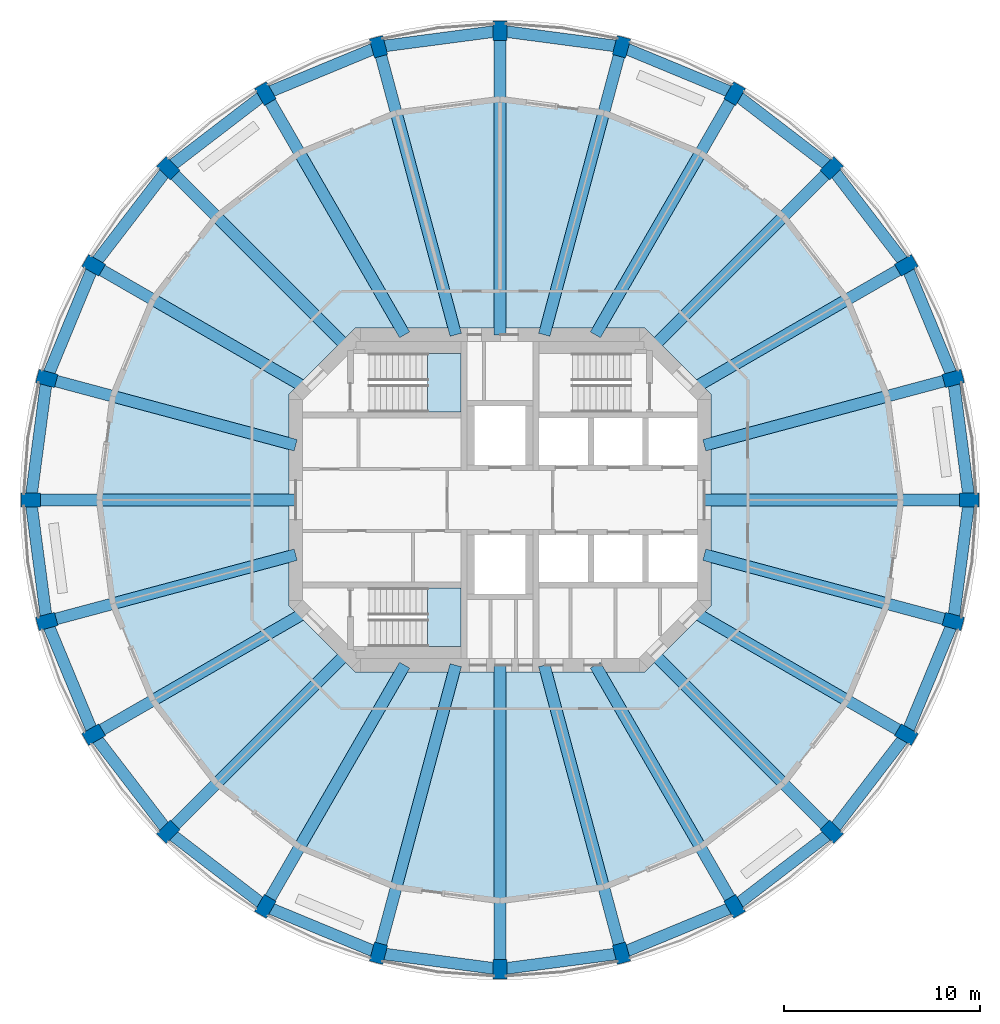
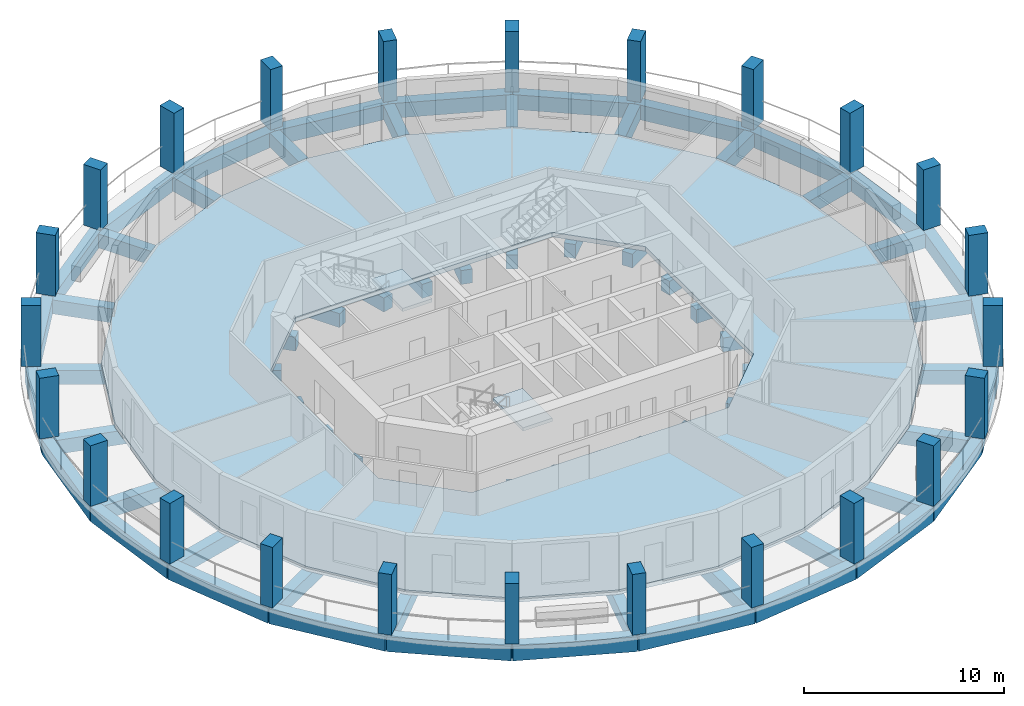
# One storey, part 1 of 9: 48 beams, 24 columns, 3 slabs, 2 elements without a shape of their own.
"""IFC4 building model written with IfcOpenShell, lengths in metres."""

import ifcopenshell
import ifcopenshell.guid

model = None  # the IFC model being written
_history = None  # IfcOwnerHistory: only IFC2X3 demands one
_inside = {}  # id of a spatial element -> (the spatial element, [elements in it])
_under = {}  # id of a project, library or spatial element -> (it, [spatial elements below it])
_declared = {}  # id of a project -> (the project, [libraries it declares])
_typed = {}  # id of a type object -> (the type object, [elements of that type])
_made_of = {}  # id of a material, layer set ... -> (it, [elements and type objects made of it])


def new_model(schema):
    """Start an empty IFC model of exactly this schema.

    Asked for "IFC4X3", IfcOpenShell would pick the latest addendum, in which some entities
    have other attributes; the version numbers below select the first issue.
    IFC2X3 requires an IfcOwnerHistory on every rooted entity: one is made here for all.
    """
    global model, _history
    if schema == "IFC4X3":
        model = ifcopenshell.file(schema_version=(4, 3, 0, 0))
    else:
        model = ifcopenshell.file(schema=schema)
    _inside.clear()
    _under.clear()
    _declared.clear()
    _typed.clear()
    _made_of.clear()
    _history = None
    if model.schema == "IFC2X3":
        org = make("IfcOrganization", Name="unknown")
        user = make(
            "IfcPersonAndOrganization",
            ThePerson=make("IfcPerson", FamilyName="unknown"),
            TheOrganization=org,
        )
        app = make(
            "IfcApplication",
            ApplicationDeveloper=org,
            Version="unknown",
            ApplicationFullName="unknown",
            ApplicationIdentifier="unknown",
        )
        _history = make(
            "IfcOwnerHistory",
            OwningUser=user,
            OwningApplication=app,
            ChangeAction="ADDED",
            CreationDate=0,
        )
    return model


def make(cls, **values):
    """One entity of the class cls with the attributes given. An attribute that is None is left unset."""
    return model.create_entity(
        cls, **{name: value for name, value in values.items() if value is not None}
    )


def rooted(cls, **values):
    """An entity with a GlobalId (a new one), such as an element, a storey or a relation."""
    return make(cls, GlobalId=ifcopenshell.guid.new(), OwnerHistory=_history, **values)


def si_unit(unit_type, name, prefix=None):
    """IfcSIUnit, for example si_unit("LENGTHUNIT", "METRE", prefix="MILLI")."""
    return make("IfcSIUnit", UnitType=unit_type, Prefix=prefix, Name=name)


def assignment(units):
    """IfcUnitAssignment: the units of a project."""
    return None if units is None else make("IfcUnitAssignment", Units=units)


def point(xyz):
    """IfcCartesianPoint."""
    return None if xyz is None else make("IfcCartesianPoint", Coordinates=xyz)


def direction(xyz):
    """IfcDirection."""
    return None if xyz is None else make("IfcDirection", DirectionRatios=xyz)


def frame(location, z_axis=None, x_axis=None):
    """IfcAxis2Placement3D, a coordinate frame: its origin and axes. An axis left out is left unset."""
    return make(
        "IfcAxis2Placement3D",
        Location=point(location),
        Axis=direction(z_axis),
        RefDirection=direction(x_axis),
    )


def frame_2d(location, x_axis=None):
    """IfcAxis2Placement2D, a coordinate frame in the plane: its origin and x axis."""
    return make(
        "IfcAxis2Placement2D", Location=point(location), RefDirection=direction(x_axis)
    )


def origin():
    """The frame at (0, 0, 0) with its axes left unset."""
    return frame((0.0, 0.0, 0.0))


def origin_2d():
    """The frame at (0, 0) in the plane with its x axis left unset."""
    return frame_2d((0.0, 0.0))


def place(relative_to, where):
    """IfcLocalPlacement: puts the frame where relative to a parent placement (None: the world)."""
    return make(
        "IfcLocalPlacement", PlacementRelTo=relative_to, RelativePlacement=where
    )


def context(
    kind, dimensions, precision=None, world=None, true_north=None, identifier=None
):
    """IfcGeometricRepresentationContext, for example the 3D "Model" context."""
    return make(
        "IfcGeometricRepresentationContext",
        ContextIdentifier=identifier,
        ContextType=kind,
        CoordinateSpaceDimension=dimensions,
        Precision=precision,
        WorldCoordinateSystem=world,
        TrueNorth=true_north,
    )


def subcontext(parent, identifier, kind, view, scale=None):
    """IfcGeometricRepresentationSubContext, for example "Body" below "Model"."""
    return make(
        "IfcGeometricRepresentationSubContext",
        ContextIdentifier=identifier,
        ContextType=kind,
        ParentContext=parent,
        TargetScale=scale,
        TargetView=view,
    )


def project(units=None, contexts=None):
    """IfcProject with its units and contexts."""
    return rooted(
        "IfcProject",
        Name="project",
        RepresentationContexts=contexts,
        UnitsInContext=assignment(units),
    )


def spatial(cls, under=None, at=None, **own):
    """A site, building, storey or space (cls), placed at a placement, below another one or the project."""
    s = rooted(cls, ObjectPlacement=at, **own)
    if under is not None:
        _under.setdefault(under.id(), (under, []))[1].append(s)
    return s


def polyline(points):
    """IfcPolyline through the points."""
    return make("IfcPolyline", Points=[point(p) for p in points])


def profile(cls, at=None, kind="AREA", **sizes):
    """A parametric profile (cls). Its sizes go by their IFC names, for example OverallWidth=200.0."""
    return make(cls, ProfileType=kind, Position=at, **sizes)


def rectangle(**sizes):
    """IfcRectangleProfileDef."""
    return profile("IfcRectangleProfileDef", **sizes)


def outline(outer, holes=None, kind="AREA"):
    """IfcArbitraryClosedProfileDef: a profile drawn as a closed curve; with holes, ...WithVoids."""
    if holes is None:
        return make("IfcArbitraryClosedProfileDef", ProfileType=kind, OuterCurve=outer)
    return make(
        "IfcArbitraryProfileDefWithVoids",
        ProfileType=kind,
        OuterCurve=outer,
        InnerCurves=holes,
    )


def extrude(swept, where, along, depth):
    """IfcExtrudedAreaSolid: the profile swept, set in the frame where, extruded along a direction by depth."""
    return make(
        "IfcExtrudedAreaSolid",
        SweptArea=swept,
        Position=where,
        ExtrudedDirection=direction(along),
        Depth=depth,
    )


def shape(context_of_items, identifier, shape_type, items):
    """IfcShapeRepresentation: the items that make up one representation, for example the "Body"."""
    return make(
        "IfcShapeRepresentation",
        ContextOfItems=context_of_items,
        RepresentationIdentifier=identifier,
        RepresentationType=shape_type,
        Items=items,
    )


def material(Name=None, Category=None):
    """IfcMaterial."""
    return make("IfcMaterial", Name=Name, Category=Category)


def layer(
    of_material, thickness, ventilated=None, Name=None, Category=None, Priority=None
):
    """IfcMaterialLayer: one layer of a wall or slab, of a material (None: an air gap)."""
    return make(
        "IfcMaterialLayer",
        Material=of_material,
        LayerThickness=thickness,
        IsVentilated=ventilated,
        Name=Name,
        Category=Category,
        Priority=Priority,
    )


def layer_set(layers, Name=None):
    """IfcMaterialLayerSet."""
    return make("IfcMaterialLayerSet", MaterialLayers=layers, LayerSetName=Name)


def material_profile(
    of_material, cross_section, Name=None, Category=None, Priority=None
):
    """IfcMaterialProfile: a cross section and its material."""
    return make(
        "IfcMaterialProfile",
        Name=Name,
        Material=of_material,
        Profile=cross_section,
        Priority=Priority,
        Category=Category,
    )


def profile_set(profiles, Name=None, composite=None):
    """IfcMaterialProfileSet."""
    return make(
        "IfcMaterialProfileSet",
        Name=Name,
        MaterialProfiles=profiles,
        CompositeProfile=composite,
    )


def made_of(thing, what):
    """Note that an element or type object is made of a material, layer set ...; save() writes the relation."""
    if what is not None:
        _made_of.setdefault(what.id(), (what, []))[1].append(thing)
    return thing


def type_object(cls, material=None, **own):
    """A type object (cls), such as IfcWallType, which elements share."""
    return made_of(rooted(cls, **own), material)


def element(
    cls,
    number,
    at=None,
    inside=None,
    cuts=None,
    type_object=None,
    material=None,
    context=None,
    identifier="Body",
    shape_type=None,
    held_by="IfcProductDefinitionShape",
    body=None,
    shapes=None,
    **own,
):
    """One element of the class cls, such as IfcWall. Its Tag is "e" and its number.

    at: its placement. inside: the storey or other place that contains it. cuts: it is an
    opening in that element (IfcRelVoidsElement). A single representation is given by context,
    identifier, shape_type and body (its items); several are given by shapes. held_by: the class
    of the entity that holds the representations. save() writes the other relations.
    """
    e = rooted(cls, Tag="e%d" % number, ObjectPlacement=at, **own)
    if body is not None:
        shapes = [shape(context, identifier, shape_type, body)]
    if shapes is not None:
        e.Representation = make(held_by, Representations=shapes)
    if inside is not None:
        _inside.setdefault(inside.id(), (inside, []))[1].append(e)
    if cuts is not None:
        rooted(
            "IfcRelVoidsElement", RelatingBuildingElement=cuts, RelatedOpeningElement=e
        )
    if type_object is not None:
        _typed.setdefault(type_object.id(), (type_object, []))[1].append(e)
    return made_of(e, material)


def aggregate(whole, parts):
    """IfcRelAggregates: a whole, such as a stair, and the parts it consists of."""
    return rooted("IfcRelAggregates", RelatingObject=whole, RelatedObjects=parts)


def save(model, path):
    """Write the relations noted so far, then the file.

    IfcRelAggregates (storeys below a building ...), IfcRelContainedInSpatialStructure (elements
    in a storey), IfcRelDefinesByType, IfcRelAssociatesMaterial and IfcRelDeclares: one each for
    every whole, place, type object, material and project.
    """
    for whole, parts in _under.values():
        aggregate(whole, parts)
    for where, things in _inside.values():
        rooted(
            "IfcRelContainedInSpatialStructure",
            RelatedElements=things,
            RelatingStructure=where,
        )
    for kind, things in _typed.values():
        rooted("IfcRelDefinesByType", RelatedObjects=things, RelatingType=kind)
    for what, things in _made_of.values():
        rooted("IfcRelAssociatesMaterial", RelatedObjects=things, RelatingMaterial=what)
    for by, libraries in _declared.values():
        rooted("IfcRelDeclares", RelatingContext=by, RelatedDefinitions=libraries)
    model.write(path)


model = new_model("IFC4")

# Units and contexts
model_context = context("Model", 3, precision=1e-05, world=origin(), true_north=direction((0.0, 1.0)))
body_context = subcontext(model_context, "Body", "Model", "MODEL_VIEW")
ifc_project = project(units=[si_unit("LENGTHUNIT", "METRE"), si_unit("AREAUNIT", "SQUARE_METRE"), si_unit("VOLUMEUNIT", "CUBIC_METRE"), si_unit("PLANEANGLEUNIT", "RADIAN"), si_unit("MASSUNIT", "GRAM", prefix="KILO")], contexts=[model_context])

# Site, building, storey
site_placement = place(None, origin())
site = spatial("IfcSite", under=ifc_project, at=site_placement, CompositionType="ELEMENT")
building_placement = place(site_placement, origin())
building = spatial("IfcBuilding", under=site, at=building_placement, Name="Torre Triforio", CompositionType="ELEMENT")
storey_placement = place(building_placement, frame((0.0, 0.0, 233.5)))
storey = spatial("IfcBuildingStorey", under=building, at=storey_placement, Name="L53", CompositionType="ELEMENT", Elevation=233.5)

# Columns
ifc_material_1 = material(Name="Concrete C50", Category="concrete")
ifc_material_profile_1 = material_profile(ifc_material_1, rectangle(XDim=0.699951171875, YDim=1.0, at=origin_2d()), Name="RC 700x1000")
ifc_profile_set_1 = profile_set([ifc_material_profile_1], Name="Concrete C50")
column_type = type_object("IfcColumnType", Name="Pier RC 700x1000 C50", PredefinedType="COLUMN", material=ifc_profile_set_1)
for number, where, z_axis, x_axis, name in (
    (1, (24.0, 0.0, 0.0), (0.0, 0.0, 1.0), (0.0, 1.0, 0.0), "COL.R.L53.00"),
    (2, (23.18212890625, 6.211669921875, 0.0), (0.0, 0.0, 1.0), (-0.258819045103, 0.965925826289, 0.0), "COL.R.L53.01"),
    (3, (20.78466796875, 12.0, 0.0), (0.0, 0.0, 1.0), (-0.5, 0.866025403784, 0.0), "COL.R.L53.02"),
    (4, (16.970458984375, 16.970458984375, 0.0), (0.0, 0.0, 1.0), (-0.707106781187, 0.707106781187, 0.0), "COL.R.L53.03"),
    (5, (12.0, 20.78466796875, 0.0), (0.0, 0.0, 1.0), (-0.866025403784, 0.5, 0.0), "COL.R.L53.04"),
    (6, (6.211669921875, 23.18212890625, 0.0), (0.0, 0.0, 1.0), (-0.965925826289, 0.258819045103, 0.0), "COL.R.L53.05"),
    (7, (0.0, 24.0, 0.0), (0.0, 0.0, 1.0), (-1.0, 0.0, 0.0), "COL.R.L53.06"),
    (8, (-6.211669921875, 23.18212890625, 0.0), (0.0, 0.0, 1.0), (-0.965925826289, -0.258819045103, 0.0), "COL.R.L53.07"),
    (9, (-12.0, 20.78466796875, 0.0), (0.0, 0.0, 1.0), (-0.866025403784, -0.5, 0.0), "COL.R.L53.08"),
    (10, (-16.970458984375, 16.970458984375, 0.0), (0.0, 0.0, 1.0), (-0.707106781187, -0.707106781187, 0.0), "COL.R.L53.09"),
    (11, (-20.78466796875, 12.0, 0.0), (0.0, 0.0, 1.0), (-0.5, -0.866025403784, 0.0), "COL.R.L53.10"),
    (12, (-23.18212890625, 6.211669921875, 0.0), (0.0, 0.0, 1.0), (-0.258819045103, -0.965925826289, 0.0), "COL.R.L53.11"),
    (13, (-24.0, 0.0, 0.0), (0.0, 0.0, 1.0), (0.0, -1.0, 0.0), "COL.R.L53.12"),
    (14, (-23.18212890625, -6.211669921875, 0.0), (0.0, 0.0, 1.0), (0.258819045103, -0.965925826289, 0.0), "COL.R.L53.13"),
    (15, (-20.78466796875, -12.0, 0.0), (0.0, 0.0, 1.0), (0.5, -0.866025403784, 0.0), "COL.R.L53.14"),
    (16, (-16.970458984375, -16.970458984375, 0.0), (0.0, 0.0, 1.0), (0.707106781187, -0.707106781187, 0.0), "COL.R.L53.15"),
    (17, (-12.0, -20.78466796875, 0.0), (0.0, 0.0, 1.0), (0.866025403784, -0.5, 0.0), "COL.R.L53.16"),
    (18, (-6.211669921875, -23.18212890625, 0.0), (0.0, 0.0, 1.0), (0.965925826289, -0.258819045103, 0.0), "COL.R.L53.17"),
    (19, (0.0, -24.0, 0.0), (0.0, 0.0, 1.0), (1.0, 0.0, 0.0), "COL.R.L53.18"),
    (20, (6.211669921875, -23.18212890625, 0.0), (0.0, 0.0, 1.0), (0.965925826289, 0.258819045103, 0.0), "COL.R.L53.19"),
    (21, (12.0, -20.78466796875, 0.0), (0.0, 0.0, 1.0), (0.866025403784, 0.5, 0.0), "COL.R.L53.20"),
    (22, (16.970458984375, -16.970458984375, 0.0), (0.0, 0.0, 1.0), (0.707106781187, 0.707106781187, 0.0), "COL.R.L53.21"),
    (23, (20.78466796875, -12.0, 0.0), (0.0, 0.0, 1.0), (0.5, 0.866025403784, 0.0), "COL.R.L53.22"),
    (24, (23.18212890625, -6.211669921875, 0.0), (0.0, 0.0, 1.0), (0.258819045103, 0.965925826289, 0.0), "COL.R.L53.23"),
):
    element("IfcColumn", number, at=place(storey_placement, frame(where, z_axis=z_axis, x_axis=x_axis)), inside=storey, type_object=column_type, Name=name, PredefinedType="COLUMN", context=body_context, shape_type="SweptSolid", body=[
        extrude(rectangle(XDim=0.699951171875, YDim=1.0, at=origin_2d()), origin(), (0.0, 0.0, 1.0), 3.699951171875),
    ])

# Beams
ifc_material_2 = material(Name="Concrete C40", Category="concrete")
ifc_material_profile_2 = material_profile(ifc_material_2, rectangle(XDim=0.60009765625, YDim=0.85009765625, at=origin_2d()), Name="RC 600x850")
ifc_profile_set_2 = profile_set([ifc_material_profile_2], Name="Concrete C40")
beam_type_1 = type_object("IfcBeamType", Name="Radial beam RC 600x850 C40", PredefinedType="BEAM", material=ifc_profile_set_2)
beam_1_placement = place(storey_placement, frame((10.449951171875, 0.0, -0.705078125), z_axis=(1.0, 0.0, 0.0), x_axis=(0.0, 1.0, 0.0)))
element("IfcBeam", 25, at=beam_1_placement, inside=storey, type_object=beam_type_1, Name="BM.R.L53.00", PredefinedType="BEAM", context=body_context, shape_type="SweptSolid", body=[
    extrude(rectangle(XDim=0.60009765625, YDim=0.85009765625, at=origin_2d()), origin(), (0.0, 0.0, 1.0), 13.550048828125),
])
beam_2_placement = place(storey_placement, frame((10.449951171875, 2.800048828125, -0.705078125), z_axis=(0.965924985096, 0.258822184459, 0.0), x_axis=(-0.258822184459, 0.965924985096, 0.0)))
element("IfcBeam", 26, at=beam_2_placement, inside=storey, type_object=beam_type_1, Name="BM.R.L53.01", PredefinedType="BEAM", context=body_context, shape_type="SweptSolid", body=[
    extrude(rectangle(XDim=0.60009765625, YDim=0.85009765625, at=origin_2d()), origin(), (0.0, 0.0, 1.0), 13.181396484375),
])
beam_3_placement = place(storey_placement, frame((9.9501953125, 5.744873046875, -0.705078125), z_axis=(0.866030898433, 0.499990482869, 0.0), x_axis=(-0.499990482869, 0.866030898433, 0.0)))
element("IfcBeam", 27, at=beam_3_placement, inside=storey, type_object=beam_type_1, Name="BM.R.L53.02", PredefinedType="BEAM", context=body_context, shape_type="SweptSolid", body=[
    extrude(rectangle(XDim=0.60009765625, YDim=0.85009765625, at=origin_2d()), origin(), (0.0, 0.0, 1.0), 12.510498046875),
])
beam_4_placement = place(storey_placement, frame((7.847412109375, 7.847412109375, -0.705078125), z_axis=(0.707106781187, 0.707106781187, 0.0), x_axis=(-0.707106781187, 0.707106781187, 0.0)))
element("IfcBeam", 28, at=beam_4_placement, inside=storey, type_object=beam_type_1, Name="BM.R.L53.03", PredefinedType="BEAM", context=body_context, shape_type="SweptSolid", body=[
    extrude(rectangle(XDim=0.60009765625, YDim=0.85009765625, at=origin_2d()), origin(), (0.0, 0.0, 1.0), 12.90185546875),
])
beam_5_placement = place(storey_placement, frame((4.878662109375, 8.449951171875, -0.705078125), z_axis=(0.499993987895, 0.866028874847, 0.0), x_axis=(-0.866028874847, 0.499993987895, 0.0)))
element("IfcBeam", 29, at=beam_5_placement, inside=storey, type_object=beam_type_1, Name="BM.R.L53.04", PredefinedType="BEAM", context=body_context, shape_type="SweptSolid", body=[
    extrude(rectangle(XDim=0.60009765625, YDim=0.85009765625, at=origin_2d()), origin(), (0.0, 0.0, 1.0), 14.242919921875),
])
beam_6_placement = place(storey_placement, frame((2.26416015625, 8.449951171875, -0.705078125), z_axis=(0.258821164091, 0.965925258505, 0.0), x_axis=(-0.965925258505, 0.258821164091, 0.0)))
element("IfcBeam", 30, at=beam_6_placement, inside=storey, type_object=beam_type_1, Name="BM.R.L53.05", PredefinedType="BEAM", context=body_context, shape_type="SweptSolid", body=[
    extrude(rectangle(XDim=0.60009765625, YDim=0.85009765625, at=origin_2d()), origin(), (0.0, 0.0, 1.0), 15.251953125),
])
beam_7_placement = place(storey_placement, frame((0.0, 8.449951171875, -0.705078125), z_axis=(0.0, 1.0, 0.0), x_axis=(-1.0, 0.0, 0.0)))
element("IfcBeam", 31, at=beam_7_placement, inside=storey, type_object=beam_type_1, Name="BM.R.L53.06", PredefinedType="BEAM", context=body_context, shape_type="SweptSolid", body=[
    extrude(rectangle(XDim=0.60009765625, YDim=0.85009765625, at=origin_2d()), origin(), (0.0, 0.0, 1.0), 15.550048828125),
])
beam_8_placement = place(storey_placement, frame((-2.26416015625, 8.449951171875, -0.705078125), z_axis=(-0.258821164091, 0.965925258505, 0.0), x_axis=(-0.965925258505, -0.258821164091, 0.0)))
element("IfcBeam", 32, at=beam_8_placement, inside=storey, type_object=beam_type_1, Name="BM.R.L53.07", PredefinedType="BEAM", context=body_context, shape_type="SweptSolid", body=[
    extrude(rectangle(XDim=0.60009765625, YDim=0.85009765625, at=origin_2d()), origin(), (0.0, 0.0, 1.0), 15.251953125),
])
beam_9_placement = place(storey_placement, frame((-4.878662109375, 8.449951171875, -0.705078125), z_axis=(-0.499993987895, 0.866028874847, 0.0), x_axis=(-0.866028874847, -0.499993987895, 0.0)))
element("IfcBeam", 33, at=beam_9_placement, inside=storey, type_object=beam_type_1, Name="BM.R.L53.08", PredefinedType="BEAM", context=body_context, shape_type="SweptSolid", body=[
    extrude(rectangle(XDim=0.60009765625, YDim=0.85009765625, at=origin_2d()), origin(), (0.0, 0.0, 1.0), 14.242919921875),
])
beam_10_placement = place(storey_placement, frame((-7.847412109375, 7.847412109375, -0.705078125), z_axis=(-0.707106781187, 0.707106781187, 0.0), x_axis=(-0.707106781187, -0.707106781187, 0.0)))
element("IfcBeam", 34, at=beam_10_placement, inside=storey, type_object=beam_type_1, Name="BM.R.L53.09", PredefinedType="BEAM", context=body_context, shape_type="SweptSolid", body=[
    extrude(rectangle(XDim=0.60009765625, YDim=0.85009765625, at=origin_2d()), origin(), (0.0, 0.0, 1.0), 12.90185546875),
])
beam_11_placement = place(storey_placement, frame((-9.9501953125, 5.744873046875, -0.705078125), z_axis=(-0.866030898433, 0.499990482869, 0.0), x_axis=(-0.499990482869, -0.866030898433, 0.0)))
element("IfcBeam", 35, at=beam_11_placement, inside=storey, type_object=beam_type_1, Name="BM.R.L53.10", PredefinedType="BEAM", context=body_context, shape_type="SweptSolid", body=[
    extrude(rectangle(XDim=0.60009765625, YDim=0.85009765625, at=origin_2d()), origin(), (0.0, 0.0, 1.0), 12.510498046875),
])
beam_12_placement = place(storey_placement, frame((-10.449951171875, 2.800048828125, -0.705078125), z_axis=(-0.965924985096, 0.258822184459, 0.0), x_axis=(-0.258822184459, -0.965924985096, 0.0)))
element("IfcBeam", 36, at=beam_12_placement, inside=storey, type_object=beam_type_1, Name="BM.R.L53.11", PredefinedType="BEAM", context=body_context, shape_type="SweptSolid", body=[
    extrude(rectangle(XDim=0.60009765625, YDim=0.85009765625, at=origin_2d()), origin(), (0.0, 0.0, 1.0), 13.181396484375),
])
beam_13_placement = place(storey_placement, frame((-10.449951171875, 0.0, -0.705078125), z_axis=(-1.0, 0.0, 0.0), x_axis=(0.0, -1.0, 0.0)))
element("IfcBeam", 37, at=beam_13_placement, inside=storey, type_object=beam_type_1, Name="BM.R.L53.12", PredefinedType="BEAM", context=body_context, shape_type="SweptSolid", body=[
    extrude(rectangle(XDim=0.60009765625, YDim=0.85009765625, at=origin_2d()), origin(), (0.0, 0.0, 1.0), 13.550048828125),
])
beam_14_placement = place(storey_placement, frame((-10.449951171875, -2.800048828125, -0.705078125), z_axis=(-0.965924985096, -0.258822184459, 0.0), x_axis=(0.258822184459, -0.965924985096, 0.0)))
element("IfcBeam", 38, at=beam_14_placement, inside=storey, type_object=beam_type_1, Name="BM.R.L53.13", PredefinedType="BEAM", context=body_context, shape_type="SweptSolid", body=[
    extrude(rectangle(XDim=0.60009765625, YDim=0.85009765625, at=origin_2d()), origin(), (0.0, 0.0, 1.0), 13.181396484375),
])
beam_15_placement = place(storey_placement, frame((-9.9501953125, -5.744873046875, -0.705078125), z_axis=(-0.866030898433, -0.499990482869, 0.0), x_axis=(0.499990482869, -0.866030898433, 0.0)))
element("IfcBeam", 39, at=beam_15_placement, inside=storey, type_object=beam_type_1, Name="BM.R.L53.14", PredefinedType="BEAM", context=body_context, shape_type="SweptSolid", body=[
    extrude(rectangle(XDim=0.60009765625, YDim=0.85009765625, at=origin_2d()), origin(), (0.0, 0.0, 1.0), 12.510498046875),
])
beam_16_placement = place(storey_placement, frame((-7.847412109375, -7.847412109375, -0.705078125), z_axis=(-0.707106781187, -0.707106781187, 0.0), x_axis=(0.707106781187, -0.707106781187, 0.0)))
element("IfcBeam", 40, at=beam_16_placement, inside=storey, type_object=beam_type_1, Name="BM.R.L53.15", PredefinedType="BEAM", context=body_context, shape_type="SweptSolid", body=[
    extrude(rectangle(XDim=0.60009765625, YDim=0.85009765625, at=origin_2d()), origin(), (0.0, 0.0, 1.0), 12.90185546875),
])
beam_17_placement = place(storey_placement, frame((-4.878662109375, -8.449951171875, -0.705078125), z_axis=(-0.499993987895, -0.866028874847, 0.0), x_axis=(0.866028874847, -0.499993987895, 0.0)))
element("IfcBeam", 41, at=beam_17_placement, inside=storey, type_object=beam_type_1, Name="BM.R.L53.16", PredefinedType="BEAM", context=body_context, shape_type="SweptSolid", body=[
    extrude(rectangle(XDim=0.60009765625, YDim=0.85009765625, at=origin_2d()), origin(), (0.0, 0.0, 1.0), 14.242919921875),
])
beam_18_placement = place(storey_placement, frame((-2.26416015625, -8.449951171875, -0.705078125), z_axis=(-0.258821164091, -0.965925258505, 0.0), x_axis=(0.965925258505, -0.258821164091, 0.0)))
element("IfcBeam", 42, at=beam_18_placement, inside=storey, type_object=beam_type_1, Name="BM.R.L53.17", PredefinedType="BEAM", context=body_context, shape_type="SweptSolid", body=[
    extrude(rectangle(XDim=0.60009765625, YDim=0.85009765625, at=origin_2d()), origin(), (0.0, 0.0, 1.0), 15.251953125),
])
beam_19_placement = place(storey_placement, frame((0.0, -8.449951171875, -0.705078125), z_axis=(0.0, -1.0, 0.0), x_axis=(1.0, 0.0, 0.0)))
element("IfcBeam", 43, at=beam_19_placement, inside=storey, type_object=beam_type_1, Name="BM.R.L53.18", PredefinedType="BEAM", context=body_context, shape_type="SweptSolid", body=[
    extrude(rectangle(XDim=0.60009765625, YDim=0.85009765625, at=origin_2d()), origin(), (0.0, 0.0, 1.0), 15.550048828125),
])
beam_20_placement = place(storey_placement, frame((2.26416015625, -8.449951171875, -0.705078125), z_axis=(0.258821164091, -0.965925258505, 0.0), x_axis=(0.965925258505, 0.258821164091, 0.0)))
element("IfcBeam", 44, at=beam_20_placement, inside=storey, type_object=beam_type_1, Name="BM.R.L53.19", PredefinedType="BEAM", context=body_context, shape_type="SweptSolid", body=[
    extrude(rectangle(XDim=0.60009765625, YDim=0.85009765625, at=origin_2d()), origin(), (0.0, 0.0, 1.0), 15.251953125),
])
beam_21_placement = place(storey_placement, frame((4.878662109375, -8.449951171875, -0.705078125), z_axis=(0.499993987895, -0.866028874847, 0.0), x_axis=(0.866028874847, 0.499993987895, 0.0)))
element("IfcBeam", 45, at=beam_21_placement, inside=storey, type_object=beam_type_1, Name="BM.R.L53.20", PredefinedType="BEAM", context=body_context, shape_type="SweptSolid", body=[
    extrude(rectangle(XDim=0.60009765625, YDim=0.85009765625, at=origin_2d()), origin(), (0.0, 0.0, 1.0), 14.242919921875),
])
beam_22_placement = place(storey_placement, frame((7.847412109375, -7.847412109375, -0.705078125), z_axis=(0.707106781187, -0.707106781187, 0.0), x_axis=(0.707106781187, 0.707106781187, 0.0)))
element("IfcBeam", 46, at=beam_22_placement, inside=storey, type_object=beam_type_1, Name="BM.R.L53.21", PredefinedType="BEAM", context=body_context, shape_type="SweptSolid", body=[
    extrude(rectangle(XDim=0.60009765625, YDim=0.85009765625, at=origin_2d()), origin(), (0.0, 0.0, 1.0), 12.90185546875),
])
beam_23_placement = place(storey_placement, frame((9.9501953125, -5.744873046875, -0.705078125), z_axis=(0.866030898433, -0.499990482869, 0.0), x_axis=(0.499990482869, 0.866030898433, 0.0)))
element("IfcBeam", 47, at=beam_23_placement, inside=storey, type_object=beam_type_1, Name="BM.R.L53.22", PredefinedType="BEAM", context=body_context, shape_type="SweptSolid", body=[
    extrude(rectangle(XDim=0.60009765625, YDim=0.85009765625, at=origin_2d()), origin(), (0.0, 0.0, 1.0), 12.510498046875),
])
beam_24_placement = place(storey_placement, frame((10.449951171875, -2.800048828125, -0.705078125), z_axis=(0.965924985096, -0.258822184459, 0.0), x_axis=(0.258822184459, 0.965924985096, 0.0)))
element("IfcBeam", 48, at=beam_24_placement, inside=storey, type_object=beam_type_1, Name="BM.R.L53.23", PredefinedType="BEAM", context=body_context, shape_type="SweptSolid", body=[
    extrude(rectangle(XDim=0.60009765625, YDim=0.85009765625, at=origin_2d()), origin(), (0.0, 0.0, 1.0), 13.181396484375),
])
ifc_material_profile_3 = material_profile(ifc_material_2, rectangle(XDim=0.60009765625, YDim=0.89990234375, at=origin_2d()), Name="RC 600x900")
ifc_profile_set_3 = profile_set([ifc_material_profile_3], Name="Concrete C40")
beam_type_2 = type_object("IfcBeamType", Name="Spandrel beam RC 600x900 C40", PredefinedType="SPANDREL", material=ifc_profile_set_3)
beam_25_placement = place(storey_placement, frame((24.0, 0.0, -0.72998046875), z_axis=(-0.130540192224, 0.991443018138, 0.0), x_axis=(-0.991443018138, -0.130540192224, 0.0)))
element("IfcBeam", 49, at=beam_25_placement, inside=storey, type_object=beam_type_2, Name="BM.S.L53.00", PredefinedType="SPANDREL", context=body_context, shape_type="SweptSolid", body=[
    extrude(rectangle(XDim=0.60009765625, YDim=0.89990234375, at=origin_2d()), origin(), (0.0, 0.0, 1.0), 6.265380859375),
])
beam_26_placement = place(storey_placement, frame((23.18212890625, 6.211669921875, -0.72998046875), z_axis=(-0.382663829839, 0.9238876519, 0.0), x_axis=(-0.9238876519, -0.382663829839, 0.0)))
element("IfcBeam", 50, at=beam_26_placement, inside=storey, type_object=beam_type_2, Name="BM.S.L53.01", PredefinedType="SPANDREL", context=body_context, shape_type="SweptSolid", body=[
    extrude(rectangle(XDim=0.60009765625, YDim=0.89990234375, at=origin_2d()), origin(), (0.0, 0.0, 1.0), 6.26513671875),
])
for number, where, z_axis, x_axis, name in (
    (51, (20.78466796875, 12.0, -0.72998046875), (-0.608785706196, 0.79333471116, 0.0), (-0.79333471116, -0.608785706196, 0.0), "BM.S.L53.02"),
    (52, (16.970458984375, 16.970458984375, -0.72998046875), (-0.79333471116, 0.608785706196, 0.0), (-0.608785706196, -0.79333471116, 0.0), "BM.S.L53.03"),
):
    element("IfcBeam", number, at=place(storey_placement, frame(where, z_axis=z_axis, x_axis=x_axis)), inside=storey, type_object=beam_type_2, Name=name, PredefinedType="SPANDREL", context=body_context, shape_type="SweptSolid", body=[
        extrude(rectangle(XDim=0.60009765625, YDim=0.89990234375, at=origin_2d()), origin(), (0.0, 0.0, 1.0), 6.265380859375),
    ])
beam_27_placement = place(storey_placement, frame((12.0, 20.78466796875, -0.72998046875), z_axis=(-0.9238876519, 0.382663829839, 0.0), x_axis=(-0.382663829839, -0.9238876519, 0.0)))
element("IfcBeam", 53, at=beam_27_placement, inside=storey, type_object=beam_type_2, Name="BM.S.L53.04", PredefinedType="SPANDREL", context=body_context, shape_type="SweptSolid", body=[
    extrude(rectangle(XDim=0.60009765625, YDim=0.89990234375, at=origin_2d()), origin(), (0.0, 0.0, 1.0), 6.26513671875),
])
for number, where, z_axis, x_axis, name in (
    (54, (6.211669921875, 23.18212890625, -0.72998046875), (-0.991443018138, 0.130540192224, 0.0), (-0.130540192224, -0.991443018138, 0.0), "BM.S.L53.05"),
    (55, (0.0, 24.0, -0.72998046875), (-0.991443018138, -0.130540192224, 0.0), (0.130540192224, -0.991443018138, 0.0), "BM.S.L53.06"),
):
    element("IfcBeam", number, at=place(storey_placement, frame(where, z_axis=z_axis, x_axis=x_axis)), inside=storey, type_object=beam_type_2, Name=name, PredefinedType="SPANDREL", context=body_context, shape_type="SweptSolid", body=[
        extrude(rectangle(XDim=0.60009765625, YDim=0.89990234375, at=origin_2d()), origin(), (0.0, 0.0, 1.0), 6.265380859375),
    ])
beam_28_placement = place(storey_placement, frame((-6.211669921875, 23.18212890625, -0.72998046875), z_axis=(-0.9238876519, -0.382663829839, 0.0), x_axis=(0.382663829839, -0.9238876519, 0.0)))
element("IfcBeam", 56, at=beam_28_placement, inside=storey, type_object=beam_type_2, Name="BM.S.L53.07", PredefinedType="SPANDREL", context=body_context, shape_type="SweptSolid", body=[
    extrude(rectangle(XDim=0.60009765625, YDim=0.89990234375, at=origin_2d()), origin(), (0.0, 0.0, 1.0), 6.26513671875),
])
for number, where, z_axis, x_axis, name in (
    (57, (-12.0, 20.78466796875, -0.72998046875), (-0.79333471116, -0.608785706196, 0.0), (0.608785706196, -0.79333471116, 0.0), "BM.S.L53.08"),
    (58, (-16.970458984375, 16.970458984375, -0.72998046875), (-0.608785706196, -0.79333471116, 0.0), (0.79333471116, -0.608785706196, 0.0), "BM.S.L53.09"),
):
    element("IfcBeam", number, at=place(storey_placement, frame(where, z_axis=z_axis, x_axis=x_axis)), inside=storey, type_object=beam_type_2, Name=name, PredefinedType="SPANDREL", context=body_context, shape_type="SweptSolid", body=[
        extrude(rectangle(XDim=0.60009765625, YDim=0.89990234375, at=origin_2d()), origin(), (0.0, 0.0, 1.0), 6.265380859375),
    ])
beam_29_placement = place(storey_placement, frame((-20.78466796875, 12.0, -0.72998046875), z_axis=(-0.382663829839, -0.9238876519, 0.0), x_axis=(0.9238876519, -0.382663829839, 0.0)))
element("IfcBeam", 59, at=beam_29_placement, inside=storey, type_object=beam_type_2, Name="BM.S.L53.10", PredefinedType="SPANDREL", context=body_context, shape_type="SweptSolid", body=[
    extrude(rectangle(XDim=0.60009765625, YDim=0.89990234375, at=origin_2d()), origin(), (0.0, 0.0, 1.0), 6.26513671875),
])
for number, where, z_axis, x_axis, name in (
    (60, (-23.18212890625, 6.211669921875, -0.72998046875), (-0.130540192224, -0.991443018138, 0.0), (0.991443018138, -0.130540192224, 0.0), "BM.S.L53.11"),
    (61, (-24.0, 0.0, -0.72998046875), (0.130540192224, -0.991443018138, 0.0), (0.991443018138, 0.130540192224, 0.0), "BM.S.L53.12"),
):
    element("IfcBeam", number, at=place(storey_placement, frame(where, z_axis=z_axis, x_axis=x_axis)), inside=storey, type_object=beam_type_2, Name=name, PredefinedType="SPANDREL", context=body_context, shape_type="SweptSolid", body=[
        extrude(rectangle(XDim=0.60009765625, YDim=0.89990234375, at=origin_2d()), origin(), (0.0, 0.0, 1.0), 6.265380859375),
    ])
beam_30_placement = place(storey_placement, frame((-23.18212890625, -6.211669921875, -0.72998046875), z_axis=(0.382663829839, -0.9238876519, 0.0), x_axis=(0.9238876519, 0.382663829839, 0.0)))
element("IfcBeam", 62, at=beam_30_placement, inside=storey, type_object=beam_type_2, Name="BM.S.L53.13", PredefinedType="SPANDREL", context=body_context, shape_type="SweptSolid", body=[
    extrude(rectangle(XDim=0.60009765625, YDim=0.89990234375, at=origin_2d()), origin(), (0.0, 0.0, 1.0), 6.26513671875),
])
for number, where, z_axis, x_axis, name in (
    (63, (-20.78466796875, -12.0, -0.72998046875), (0.608785706196, -0.79333471116, 0.0), (0.79333471116, 0.608785706196, 0.0), "BM.S.L53.14"),
    (64, (-16.970458984375, -16.970458984375, -0.72998046875), (0.79333471116, -0.608785706196, 0.0), (0.608785706196, 0.79333471116, 0.0), "BM.S.L53.15"),
):
    element("IfcBeam", number, at=place(storey_placement, frame(where, z_axis=z_axis, x_axis=x_axis)), inside=storey, type_object=beam_type_2, Name=name, PredefinedType="SPANDREL", context=body_context, shape_type="SweptSolid", body=[
        extrude(rectangle(XDim=0.60009765625, YDim=0.89990234375, at=origin_2d()), origin(), (0.0, 0.0, 1.0), 6.265380859375),
    ])
beam_31_placement = place(storey_placement, frame((-12.0, -20.78466796875, -0.72998046875), z_axis=(0.9238876519, -0.382663829839, 0.0), x_axis=(0.382663829839, 0.9238876519, 0.0)))
element("IfcBeam", 65, at=beam_31_placement, inside=storey, type_object=beam_type_2, Name="BM.S.L53.16", PredefinedType="SPANDREL", context=body_context, shape_type="SweptSolid", body=[
    extrude(rectangle(XDim=0.60009765625, YDim=0.89990234375, at=origin_2d()), origin(), (0.0, 0.0, 1.0), 6.26513671875),
])
for number, where, z_axis, x_axis, name in (
    (66, (-6.211669921875, -23.18212890625, -0.72998046875), (0.991443018138, -0.130540192224, 0.0), (0.130540192224, 0.991443018138, 0.0), "BM.S.L53.17"),
    (67, (0.0, -24.0, -0.72998046875), (0.991443018138, 0.130540192224, 0.0), (-0.130540192224, 0.991443018138, 0.0), "BM.S.L53.18"),
):
    element("IfcBeam", number, at=place(storey_placement, frame(where, z_axis=z_axis, x_axis=x_axis)), inside=storey, type_object=beam_type_2, Name=name, PredefinedType="SPANDREL", context=body_context, shape_type="SweptSolid", body=[
        extrude(rectangle(XDim=0.60009765625, YDim=0.89990234375, at=origin_2d()), origin(), (0.0, 0.0, 1.0), 6.265380859375),
    ])
beam_32_placement = place(storey_placement, frame((6.211669921875, -23.18212890625, -0.72998046875), z_axis=(0.9238876519, 0.382663829839, 0.0), x_axis=(-0.382663829839, 0.9238876519, 0.0)))
element("IfcBeam", 68, at=beam_32_placement, inside=storey, type_object=beam_type_2, Name="BM.S.L53.19", PredefinedType="SPANDREL", context=body_context, shape_type="SweptSolid", body=[
    extrude(rectangle(XDim=0.60009765625, YDim=0.89990234375, at=origin_2d()), origin(), (0.0, 0.0, 1.0), 6.26513671875),
])
for number, where, z_axis, x_axis, name in (
    (69, (12.0, -20.78466796875, -0.72998046875), (0.79333471116, 0.608785706196, 0.0), (-0.608785706196, 0.79333471116, 0.0), "BM.S.L53.20"),
    (70, (16.970458984375, -16.970458984375, -0.72998046875), (0.608785706196, 0.79333471116, 0.0), (-0.79333471116, 0.608785706196, 0.0), "BM.S.L53.21"),
):
    element("IfcBeam", number, at=place(storey_placement, frame(where, z_axis=z_axis, x_axis=x_axis)), inside=storey, type_object=beam_type_2, Name=name, PredefinedType="SPANDREL", context=body_context, shape_type="SweptSolid", body=[
        extrude(rectangle(XDim=0.60009765625, YDim=0.89990234375, at=origin_2d()), origin(), (0.0, 0.0, 1.0), 6.265380859375),
    ])
beam_33_placement = place(storey_placement, frame((20.78466796875, -12.0, -0.72998046875), z_axis=(0.382663829839, 0.9238876519, 0.0), x_axis=(-0.9238876519, 0.382663829839, 0.0)))
element("IfcBeam", 71, at=beam_33_placement, inside=storey, type_object=beam_type_2, Name="BM.S.L53.22", PredefinedType="SPANDREL", context=body_context, shape_type="SweptSolid", body=[
    extrude(rectangle(XDim=0.60009765625, YDim=0.89990234375, at=origin_2d()), origin(), (0.0, 0.0, 1.0), 6.26513671875),
])
beam_34_placement = place(storey_placement, frame((23.18212890625, -6.211669921875, -0.72998046875), z_axis=(0.130540192224, 0.991443018138, 0.0), x_axis=(-0.991443018138, 0.130540192224, 0.0)))
element("IfcBeam", 72, at=beam_34_placement, inside=storey, type_object=beam_type_2, Name="BM.S.L53.23", PredefinedType="SPANDREL", context=body_context, shape_type="SweptSolid", body=[
    extrude(rectangle(XDim=0.60009765625, YDim=0.89990234375, at=origin_2d()), origin(), (0.0, 0.0, 1.0), 6.265380859375),
])

# Slab
ifc_layer_1 = layer(ifc_material_2, 0.280029296875)
ifc_layer_set_1 = layer_set([ifc_layer_1], Name="Concrete C40")
slab_type_1 = type_object("IfcSlabType", Name="Floor slab 280 C40", PredefinedType="FLOOR", material=ifc_layer_set_1)
slab_1_placement = place(storey_placement, frame((0.0, 0.0, -0.280029296875)))
element("IfcSlab", 73, at=slab_1_placement, inside=storey, type_object=slab_type_1, Name="SL.L53", PredefinedType="FLOOR", context=body_context, shape_type="SweptSolid", body=[
    extrude(outline(polyline([(17.75341796875, -10.25), (19.801513671875, -5.305908203125), (20.5, 0.0), (19.801513671875, 5.305908203125), (17.75341796875, 10.25), (14.49560546875, 14.49560546875), (10.25, 17.75341796875), (5.305908203125, 19.801513671875), (0.0, 20.5), (-5.305908203125, 19.801513671875), (-10.25, 17.75341796875), (-14.49560546875, 14.49560546875), (-17.75341796875, 10.25), (-19.801513671875, 5.305908203125), (-20.5, 0.0), (-19.801513671875, -5.305908203125), (-17.75341796875, -10.25), (-14.49560546875, -14.49560546875), (-10.25, -17.75341796875), (-5.305908203125, -19.801513671875), (0.0, -20.5), (5.305908203125, -19.801513671875), (10.25, -17.75341796875), (14.49560546875, -14.49560546875), (17.75341796875, -10.25)]), holes=[polyline([(10.800048828125, 5.389892578125), (10.800048828125, -5.389892578125), (7.389892578125, -8.800048828125), (-7.389892578125, -8.800048828125), (-10.800048828125, -5.389892578125), (-10.800048828125, 5.389892578125), (-7.389892578125, 8.800048828125), (7.389892578125, 8.800048828125), (10.800048828125, 5.389892578125)])]), origin(), (0.0, 0.0, 1.0), 0.280029296875),
])

# Stair, slab
stair_type = type_object("IfcStairType", Name="STAIR HALF-TURN", PredefinedType="HALF_TURN_STAIR", material=ifc_material_2)
stair_1_placement = place(storey_placement, origin())
stair_1 = element("IfcStair", 74, at=stair_1_placement, inside=storey, type_object=stair_type, Name="Exit stair 1", PredefinedType="HALF_TURN_STAIR")
ifc_layer_2 = layer(ifc_material_2, 0.199951171875)
ifc_layer_set_2 = layer_set([ifc_layer_2], Name="Concrete C40")
slab_type_2 = type_object("IfcSlabType", Name="STAIR LANDING 200", PredefinedType="LANDING", material=ifc_layer_set_2)
slab_2_placement = place(storey_placement, frame((0.0, 0.0, 1.64990234375)))
slab_2 = element("IfcSlab", 75, at=slab_2_placement, type_object=slab_type_2, Name="ST1 landing 1", PredefinedType="LANDING", context=body_context, shape_type="SweptSolid", body=[
    extrude(outline(polyline([(-2.0, 4.5), (-2.0, 7.5), (-3.699951171875, 7.5), (-3.699951171875, 4.5), (-2.0, 4.5)])), origin(), (0.0, 0.0, 1.0), 0.2001953125),
])
aggregate(stair_1, [slab_2])

stair_2_placement = place(storey_placement, origin())
stair_2 = element("IfcStair", 76, at=stair_2_placement, inside=storey, type_object=stair_type, Name="Exit stair 3", PredefinedType="HALF_TURN_STAIR")
slab_3_placement = place(storey_placement, frame((0.0, 0.0, 1.64990234375)))
slab_3 = element("IfcSlab", 77, at=slab_3_placement, type_object=slab_type_2, Name="ST3 landing 1", PredefinedType="LANDING", context=body_context, shape_type="SweptSolid", body=[
    extrude(outline(polyline([(-2.0, -7.5), (-2.0, -4.5), (-3.699951171875, -4.5), (-3.699951171875, -7.5), (-2.0, -7.5)])), origin(), (0.0, 0.0, 1.0), 0.2001953125),
])
aggregate(stair_2, [slab_3])

save(model, "model.ifc")
